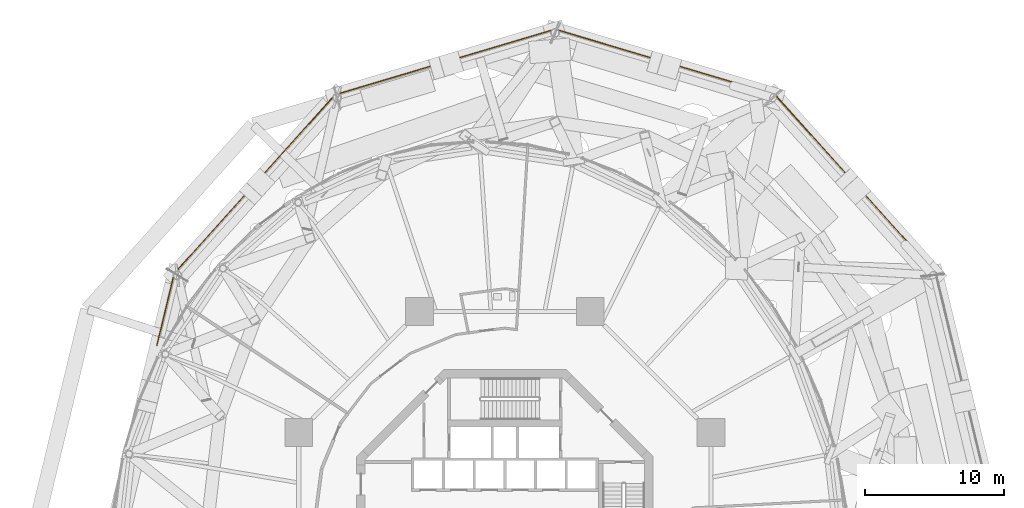
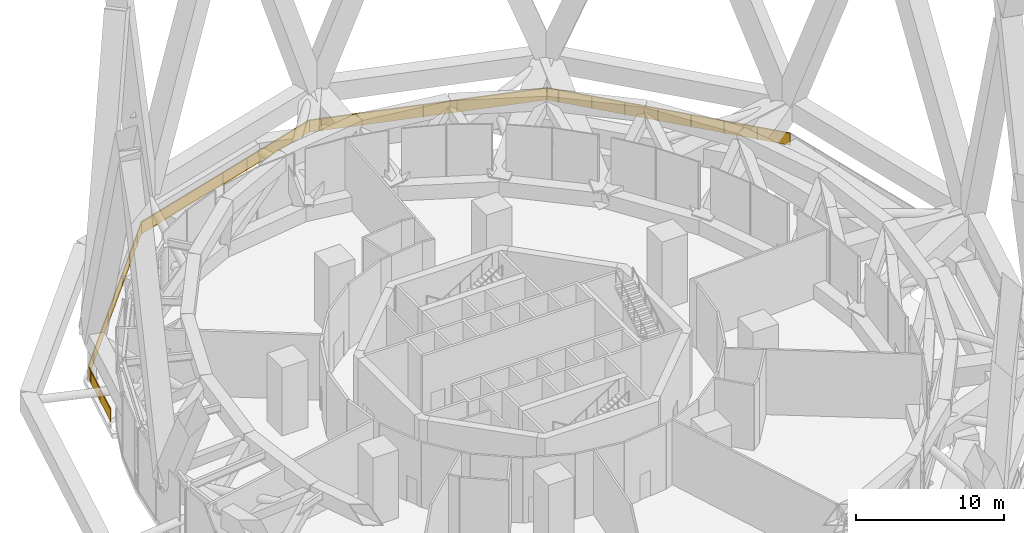
# One storey, part 48 of 49: 1 railing.
"""IFC4 building model written with IfcOpenShell, lengths in metres."""

from ifc_helpers import new_model, si_unit, direction, frame, origin, origin_2d, place, context, subcontext, project, spatial, polyline, rectangle, outline, extrude, material, type_object, element, save


model = new_model("IFC4")

# Units and contexts
model_context = context("Model", 3, precision=1e-05, world=origin(), true_north=direction((0.0, 1.0)))
body_context = subcontext(model_context, "Body", "Model", "MODEL_VIEW")
ifc_project = project(units=[si_unit("LENGTHUNIT", "METRE"), si_unit("AREAUNIT", "SQUARE_METRE"), si_unit("VOLUMEUNIT", "CUBIC_METRE"), si_unit("PLANEANGLEUNIT", "RADIAN"), si_unit("MASSUNIT", "GRAM", prefix="KILO")], contexts=[model_context])

# Site, building, storey
site_placement = place(None, origin())
site = spatial("IfcSite", under=ifc_project, at=site_placement, CompositionType="ELEMENT")
building_placement = place(site_placement, origin())
building = spatial("IfcBuilding", under=site, at=building_placement, Name="Nagisa Residences", CompositionType="ELEMENT")
storey_placement = place(building_placement, frame((0.0, 0.0, 160.300048828125)))
storey = spatial("IfcBuildingStorey", under=building, at=storey_placement, Name="L40", CompositionType="ELEMENT", Elevation=160.300048828125)

# Railing
ifc_material = material(Name="Stainless steel 316", Category="steel")
railing_type = type_object("IfcRailingType", Name="ROOF GUARD 1100", PredefinedType="GUARDRAIL", material=ifc_material)
railing_placement = place(storey_placement, frame((-24.95263671875, 12.3642578125, 0.0)))
element("IfcRailing", 1, at=railing_placement, inside=storey, type_object=railing_type, Name="guard:L40:deck01-0", PredefinedType="GUARDRAIL", context=body_context, shape_type="SweptSolid", body=[
    extrude(outline(polyline([(1.216552734375, 5.1552734375), (-0.0244140625, 0.005859375), (0.0244140625, -0.005859375), (1.262451171875, 5.13134765625), (12.790283203125, 17.94921875), (28.552734375, 22.6455078125), (44.31494140625, 17.94921875), (55.84716796875, 5.12646484375), (55.88427734375, 5.16015625), (44.3427734375, 17.9931640625), (28.552734375, 22.69775390625), (12.762451171875, 17.9931640625), (1.216552734375, 5.1552734375)])), frame((0.0, 0.0, 1.050048828125)), (0.0, 0.0, 1.0), 0.050048828125),
    extrude(outline(polyline([(1.233154296875, 5.146728515625), (-0.0068359375, 0.001708984375), (0.0068359375, -0.001708984375), (1.245849609375, 5.139892578125), (12.7802734375, 17.965087890625), (28.552734375, 22.664306640625), (44.324951171875, 17.965087890625), (55.860595703125, 5.138671875), (55.870849609375, 5.14794921875), (44.332763671875, 17.977294921875), (28.552734375, 22.678955078125), (12.7724609375, 17.977294921875), (1.233154296875, 5.146728515625)])), frame((0.0, 0.0, 0.06005859375)), (0.0, 0.0, 1.0), 0.989990234375),
    extrude(rectangle(XDim=0.0400390625, YDim=0.0400390625, at=origin_2d()), origin(), (0.0, 0.0, 1.0), 1.050048828125),
    extrude(rectangle(XDim=0.0400390625, YDim=0.0400390625, at=origin_2d()), frame((0.549560546875, 2.280517578125, 0.0)), (0.0, 0.0, 1.0), 1.050048828125),
    extrude(rectangle(XDim=0.0400390625, YDim=0.0400390625, at=origin_2d()), frame((1.09912109375, 4.56103515625, 0.0)), (0.0, 0.0, 1.0), 1.050048828125),
    extrude(rectangle(XDim=0.0400390625, YDim=0.0400390625, at=origin_2d()), frame((2.407470703125, 6.442138671875, 0.0)), (0.0, 0.0, 1.0), 1.050048828125),
    extrude(rectangle(XDim=0.0400390625, YDim=0.0400390625, at=origin_2d()), frame((3.97607421875, 8.186279296875, 0.0)), (0.0, 0.0, 1.0), 1.050048828125),
    extrude(rectangle(XDim=0.0400390625, YDim=0.0400390625, at=origin_2d()), frame((5.544921875, 9.930419921875, 0.0)), (0.0, 0.0, 1.0), 1.050048828125),
    extrude(rectangle(XDim=0.0400390625, YDim=0.0400390625, at=origin_2d()), frame((7.113525390625, 11.674560546875, 0.0)), (0.0, 0.0, 1.0), 1.050048828125),
    extrude(rectangle(XDim=0.0400390625, YDim=0.0400390625, at=origin_2d()), frame((8.68212890625, 13.418701171875, 0.0)), (0.0, 0.0, 1.0), 1.050048828125),
    extrude(rectangle(XDim=0.0400390625, YDim=0.0400390625, at=origin_2d()), frame((10.250732421875, 15.162841796875, 0.0)), (0.0, 0.0, 1.0), 1.050048828125),
    extrude(rectangle(XDim=0.0400390625, YDim=0.0400390625, at=origin_2d()), frame((11.8193359375, 16.906982421875, 0.0)), (0.0, 0.0, 1.0), 1.050048828125),
    extrude(rectangle(XDim=0.0400390625, YDim=0.0400390625, at=origin_2d()), frame((13.65283203125, 18.232421875, 0.0)), (0.0, 0.0, 1.0), 1.050048828125),
    extrude(rectangle(XDim=0.0400390625, YDim=0.0400390625, at=origin_2d()), frame((15.90087890625, 18.902099609375, 0.0)), (0.0, 0.0, 1.0), 1.050048828125),
    extrude(rectangle(XDim=0.0400390625, YDim=0.0400390625, at=origin_2d()), frame((18.149169921875, 19.572021484375, 0.0)), (0.0, 0.0, 1.0), 1.050048828125),
    extrude(rectangle(XDim=0.0400390625, YDim=0.0400390625, at=origin_2d()), frame((20.397216796875, 20.24169921875, 0.0)), (0.0, 0.0, 1.0), 1.050048828125),
    extrude(rectangle(XDim=0.0400390625, YDim=0.0400390625, at=origin_2d()), frame((22.645263671875, 20.91162109375, 0.0)), (0.0, 0.0, 1.0), 1.050048828125),
    extrude(rectangle(XDim=0.0400390625, YDim=0.0400390625, at=origin_2d()), frame((24.893310546875, 21.581298828125, 0.0)), (0.0, 0.0, 1.0), 1.050048828125),
    extrude(rectangle(XDim=0.0400390625, YDim=0.0400390625, at=origin_2d()), frame((27.1416015625, 22.251220703125, 0.0)), (0.0, 0.0, 1.0), 1.050048828125),
    extrude(rectangle(XDim=0.0400390625, YDim=0.0400390625, at=origin_2d()), frame((29.3896484375, 22.42236328125, 0.0)), (0.0, 0.0, 1.0), 1.050048828125),
    extrude(rectangle(XDim=0.0400390625, YDim=0.0400390625, at=origin_2d()), frame((31.6376953125, 21.75244140625, 0.0)), (0.0, 0.0, 1.0), 1.050048828125),
    extrude(rectangle(XDim=0.0400390625, YDim=0.0400390625, at=origin_2d()), frame((33.885986328125, 21.082763671875, 0.0)), (0.0, 0.0, 1.0), 1.050048828125),
    extrude(rectangle(XDim=0.0400390625, YDim=0.0400390625, at=origin_2d()), frame((36.134033203125, 20.412841796875, 0.0)), (0.0, 0.0, 1.0), 1.050048828125),
    extrude(rectangle(XDim=0.0400390625, YDim=0.0400390625, at=origin_2d()), frame((38.382080078125, 19.742919921875, 0.0)), (0.0, 0.0, 1.0), 1.050048828125),
    extrude(rectangle(XDim=0.0400390625, YDim=0.0400390625, at=origin_2d()), frame((40.630126953125, 19.0732421875, 0.0)), (0.0, 0.0, 1.0), 1.050048828125),
    extrude(rectangle(XDim=0.0400390625, YDim=0.0400390625, at=origin_2d()), frame((42.87841796875, 18.4033203125, 0.0)), (0.0, 0.0, 1.0), 1.050048828125),
    extrude(rectangle(XDim=0.0400390625, YDim=0.0400390625, at=origin_2d()), frame((44.88525390625, 17.352294921875, 0.0)), (0.0, 0.0, 1.0), 1.050048828125),
    extrude(rectangle(XDim=0.0400390625, YDim=0.0400390625, at=origin_2d()), frame((46.4541015625, 15.608154296875, 0.0)), (0.0, 0.0, 1.0), 1.050048828125),
    extrude(rectangle(XDim=0.0400390625, YDim=0.0400390625, at=origin_2d()), frame((48.022705078125, 13.864013671875, 0.0)), (0.0, 0.0, 1.0), 1.050048828125),
    extrude(rectangle(XDim=0.0400390625, YDim=0.0400390625, at=origin_2d()), frame((49.59130859375, 12.119873046875, 0.0)), (0.0, 0.0, 1.0), 1.050048828125),
    extrude(rectangle(XDim=0.0400390625, YDim=0.0400390625, at=origin_2d()), frame((51.159912109375, 10.375732421875, 0.0)), (0.0, 0.0, 1.0), 1.050048828125),
    extrude(rectangle(XDim=0.0400390625, YDim=0.0400390625, at=origin_2d()), frame((52.728515625, 8.631591796875, 0.0)), (0.0, 0.0, 1.0), 1.050048828125),
    extrude(rectangle(XDim=0.0400390625, YDim=0.0400390625, at=origin_2d()), frame((54.297119140625, 6.887451171875, 0.0)), (0.0, 0.0, 1.0), 1.050048828125),
    extrude(rectangle(XDim=0.0400390625, YDim=0.0400390625, at=origin_2d()), frame((55.86572265625, 5.143310546875, 0.0)), (0.0, 0.0, 1.0), 1.050048828125),
])

save(model, "model.ifc")
